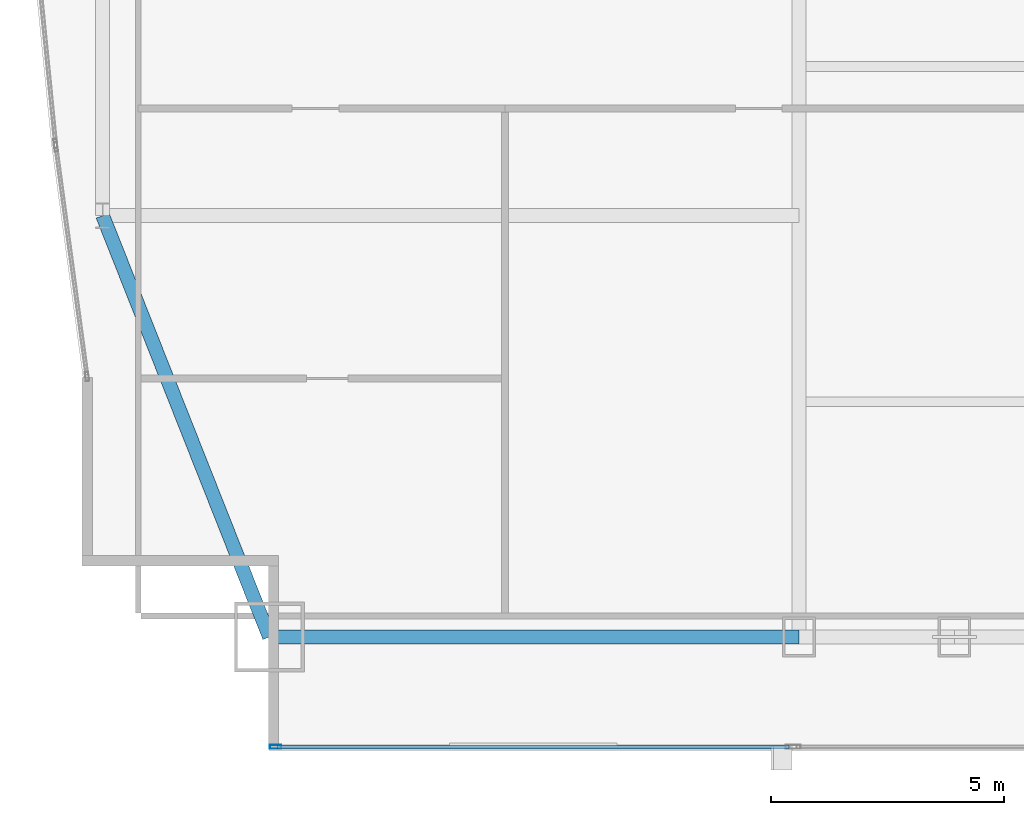
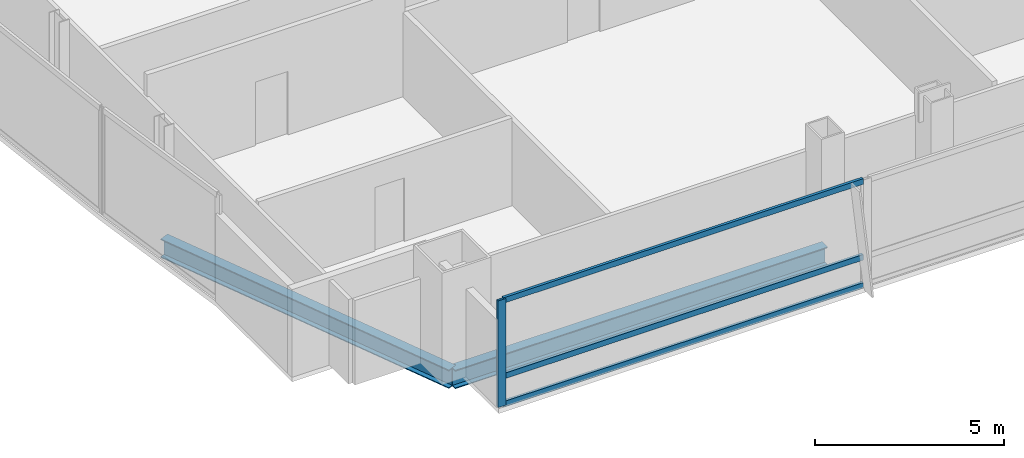
# One storey, part 5 of 32: 4 members, 2 beams, 1 element without a shape of its own.
"""IFC4 building model written with IfcOpenShell, lengths in metres."""

from ifc_helpers import new_model, si_unit, direction, frame, origin, origin_2d, place, context, subcontext, project, spatial, hollow_rectangle, i_section, extrude, material, material_profile, profile_set, type_object, element, aggregate, save


model = new_model("IFC4")

# Units and contexts
model_context = context("Model", 3, precision=1e-05, world=origin(), true_north=direction((0.0, 1.0)))
body_context = subcontext(model_context, "Body", "Model", "MODEL_VIEW")
ifc_project = project(units=[si_unit("LENGTHUNIT", "METRE"), si_unit("AREAUNIT", "SQUARE_METRE"), si_unit("VOLUMEUNIT", "CUBIC_METRE"), si_unit("PLANEANGLEUNIT", "RADIAN"), si_unit("MASSUNIT", "GRAM", prefix="KILO")], contexts=[model_context])

# Site, building, storey
site_placement = place(None, origin())
site = spatial("IfcSite", under=ifc_project, at=site_placement, CompositionType="ELEMENT")
building_placement = place(site_placement, origin())
building = spatial("IfcBuilding", under=site, at=building_placement, Name="Khoronbel Lancet Exchange", CompositionType="ELEMENT")
storey_placement = place(building_placement, frame((0.0, 0.0, 125.39990234375)))
storey = spatial("IfcBuildingStorey", under=building, at=storey_placement, Name="L30", CompositionType="ELEMENT", Elevation=125.39990234375)

# Beams
ifc_material_1 = material(Name="Steel S355", Category="steel")
ifc_material_profile_1 = material_profile(ifc_material_1, i_section(OverallWidth=0.300048828125, OverallDepth=0.60009765625, WebThickness=0.015380859375, FlangeThickness=0.030029296875, at=origin_2d()), Name="HEB 600")
ifc_profile_set_1 = profile_set([ifc_material_profile_1], Name="Steel S355")
beam_type = type_object("IfcBeamType", Name="BM-BSP2", PredefinedType="SPANDREL", material=ifc_profile_set_1)
beam_1_placement = place(storey_placement, frame((6.85009765625, 10.14990234375, -0.4599609375), z_axis=(1.0, 0.0, 0.0), x_axis=(0.0, 1.0, 0.0)))
element("IfcBeam", 1, at=beam_1_placement, inside=storey, type_object=beam_type, Name="Level L30 perimeter spandrel beam SP01", PredefinedType="SPANDREL", context=body_context, shape_type="SweptSolid", body=[
    extrude(i_section(OverallWidth=0.300048828125, OverallDepth=0.60009765625, WebThickness=0.015380859375, FlangeThickness=0.030029296875, at=origin_2d()), origin(), (0.0, 0.0, 1.0), 11.375),
])
beam_2_placement = place(storey_placement, frame((3.27001953125, 19.199951171875, -0.4599609375), z_axis=(0.367850095026, -0.92988510451, 0.0), x_axis=(0.92988510451, 0.367850095026, 0.0)))
element("IfcBeam", 2, at=beam_2_placement, inside=storey, type_object=beam_type, Name="Level L30 perimeter spandrel beam SP21", PredefinedType="SPANDREL", context=body_context, shape_type="SweptSolid", body=[
    extrude(i_section(OverallWidth=0.300048828125, OverallDepth=0.60009765625, WebThickness=0.015380859375, FlangeThickness=0.030029296875, at=origin_2d()), origin(), (0.0, 0.0, 1.0), 9.732421875),
])

# Curtain wall, members
ifc_material_2 = material(Name="Low-E Solar Control Insulating Glass", Category="glass")
curtain_wall_type = type_object("IfcCurtainWallType", Name="CW-2", PredefinedType="NOTDEFINED", material=ifc_material_2)
curtain_wall_placement = place(storey_placement, origin())
curtain_wall = element("IfcCurtainWall", 3, at=curtain_wall_placement, inside=storey, type_object=curtain_wall_type, Name="Unitised curtain wall CW-L30-SWV", PredefinedType="NOTDEFINED")
ifc_material_3 = material(Name="Bronze-Anodised Aluminium 6063-T6", Category="aluminium")
ifc_material_profile_2 = material_profile(ifc_material_3, hollow_rectangle(XDim=0.0849609375, YDim=0.239990234375, WallThickness=0.006103515625, at=origin_2d()), Name="ALU MULLION 85x240")
ifc_profile_set_2 = profile_set([ifc_material_profile_2], Name="Bronze-Anodised Aluminium 6063-T6")
member_type_1 = type_object("IfcMemberType", Name="MEM-CWM1", PredefinedType="MULLION", material=ifc_profile_set_2)
member_1_placement = place(storey_placement, frame((6.982421875, 7.7900390625, 0.0), z_axis=(0.0, 0.0, 1.0), x_axis=(0.0, 1.0, 0.0)))
member_1 = element("IfcMember", 4, at=member_1_placement, type_object=member_type_1, Name="CW2 mullion 1", PredefinedType="MULLION", context=body_context, shape_type="SweptSolid", body=[
    extrude(hollow_rectangle(XDim=0.0849609375, YDim=0.239990234375, WallThickness=0.006103515625, at=origin_2d()), origin(), (0.0, 0.0, 1.0), 3.440185546875),
])
ifc_material_profile_3 = material_profile(ifc_material_3, hollow_rectangle(XDim=0.0849609375, YDim=0.179931640625, WallThickness=0.0048828125, at=origin_2d()), Name="ALU TRANSOM 85x180")
ifc_profile_set_3 = profile_set([ifc_material_profile_3], Name="Bronze-Anodised Aluminium 6063-T6")
member_type_2 = type_object("IfcMemberType", Name="MEM-CWT1", PredefinedType="USERDEFINED", material=ifc_profile_set_3)
member_2_placement = place(storey_placement, frame((7.02490234375, 7.7900390625, 0.04248046875), z_axis=(1.0, 0.0, 0.0), x_axis=(0.0, 1.0, 0.0)))
member_2 = element("IfcMember", 5, at=member_2_placement, type_object=member_type_2, Name="CW2 transom 1.1", ObjectType="TRANSOM", PredefinedType="USERDEFINED", context=body_context, shape_type="SweptSolid", body=[
    extrude(hollow_rectangle(XDim=0.0849609375, YDim=0.179931640625, WallThickness=0.0048828125, at=origin_2d()), origin(), (0.0, 0.0, 1.0), 10.989990234375),
])
member_3_placement = place(storey_placement, frame((7.02490234375, 7.7900390625, 0.9501953125), z_axis=(1.0, 0.0, 0.0), x_axis=(0.0, 1.0, 0.0)))
member_3 = element("IfcMember", 6, at=member_3_placement, type_object=member_type_2, Name="CW2 transom 1.2", ObjectType="TRANSOM", PredefinedType="USERDEFINED", context=body_context, shape_type="SweptSolid", body=[
    extrude(hollow_rectangle(XDim=0.0849609375, YDim=0.179931640625, WallThickness=0.0048828125, at=origin_2d()), origin(), (0.0, 0.0, 1.0), 10.989990234375),
])
member_4_placement = place(storey_placement, frame((7.02490234375, 7.7900390625, 3.397705078125), z_axis=(1.0, 0.0, 0.0), x_axis=(0.0, 1.0, 0.0)))
member_4 = element("IfcMember", 7, at=member_4_placement, type_object=member_type_2, Name="CW2 transom 1.3", ObjectType="TRANSOM", PredefinedType="USERDEFINED", context=body_context, shape_type="SweptSolid", body=[
    extrude(hollow_rectangle(XDim=0.0849609375, YDim=0.179931640625, WallThickness=0.0048828125, at=origin_2d()), origin(), (0.0, 0.0, 1.0), 10.989990234375),
])
aggregate(curtain_wall, [member_1, member_2, member_3, member_4])

save(model, "model.ifc")
